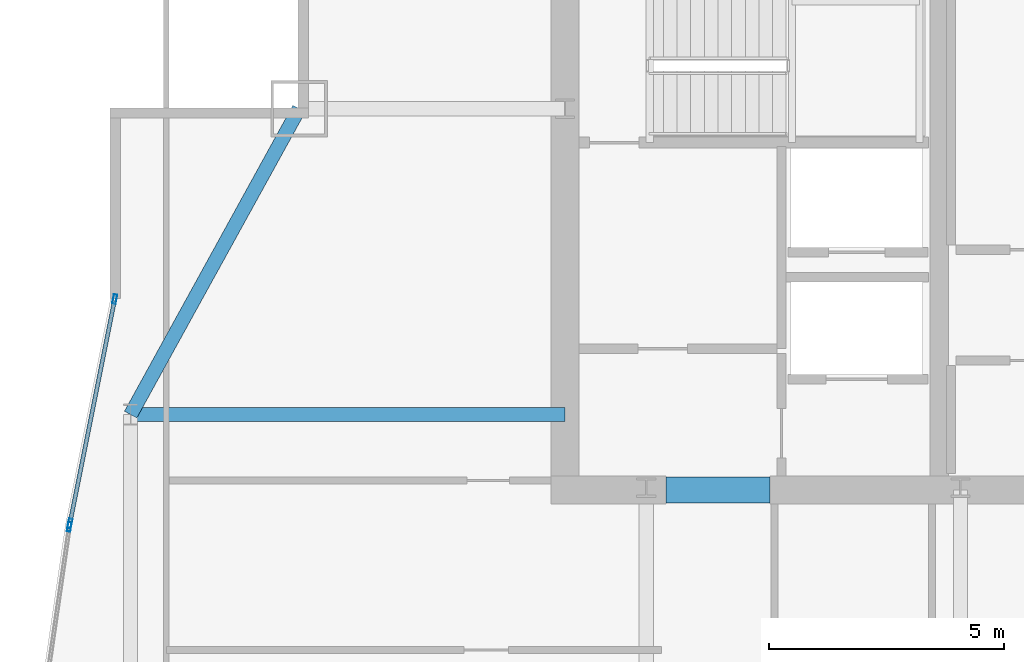
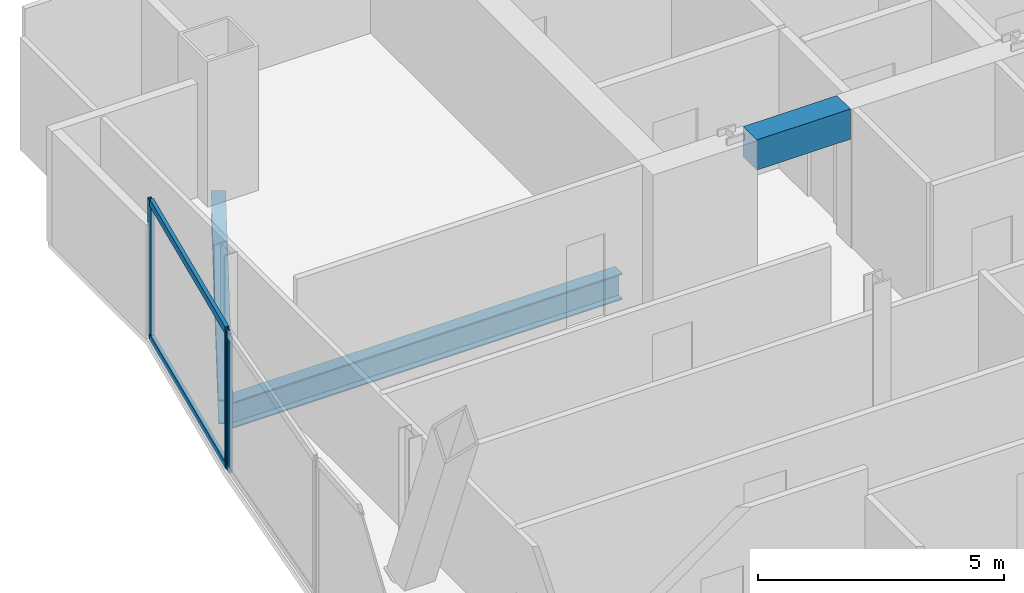
# One storey, part 22 of 32: 5 members, 3 beams, 2 elements without a shape of their own.
"""IFC4 building model written with IfcOpenShell, lengths in metres."""

from ifc_helpers import new_model, si_unit, direction, frame, origin, origin_2d, place, context, subcontext, project, spatial, rectangle, hollow_rectangle, i_section, extrude, material, material_profile, profile_set, type_object, element, aggregate, save


model = new_model("IFC4")

# Units and contexts
model_context = context("Model", 3, precision=1e-05, world=origin(), true_north=direction((0.0, 1.0)))
body_context = subcontext(model_context, "Body", "Model", "MODEL_VIEW")
ifc_project = project(units=[si_unit("LENGTHUNIT", "METRE"), si_unit("AREAUNIT", "SQUARE_METRE"), si_unit("VOLUMEUNIT", "CUBIC_METRE"), si_unit("PLANEANGLEUNIT", "RADIAN"), si_unit("MASSUNIT", "GRAM", prefix="KILO")], contexts=[model_context])

# Site, building, storey
site_placement = place(None, origin())
site = spatial("IfcSite", under=ifc_project, at=site_placement, CompositionType="ELEMENT")
building_placement = place(site_placement, origin())
building = spatial("IfcBuilding", under=site, at=building_placement, Name="Khoronbel Lancet Exchange", CompositionType="ELEMENT")
storey_placement = place(building_placement, frame((0.0, 0.0, 221.0)))
storey = spatial("IfcBuildingStorey", under=building, at=storey_placement, Name="L56", CompositionType="ELEMENT", Elevation=221.0)

# Beams
ifc_material_1 = material(Name="Steel S355", Category="steel")
ifc_material_profile_1 = material_profile(ifc_material_1, i_section(OverallWidth=0.300048828125, OverallDepth=0.64990234375, WebThickness=0.01611328125, FlangeThickness=0.031005859375, at=origin_2d()), Name="HEB 650")
ifc_profile_set_1 = profile_set([ifc_material_profile_1], Name="Steel S355")
beam_type_1 = type_object("IfcBeamType", Name="BM-BG4", PredefinedType="BEAM", material=ifc_profile_set_1)
beam_1_placement = place(storey_placement, frame((7.27001953125, 43.199951171875, -0.485107421875), z_axis=(1.0, 0.0, 0.0), x_axis=(0.0, 1.0, 0.0)))
element("IfcBeam", 1, at=beam_1_placement, inside=storey, type_object=beam_type_1, Name="Level L56 west lens tie girder LG3W", PredefinedType="BEAM", context=body_context, shape_type="SweptSolid", body=[
    extrude(i_section(OverallWidth=0.300048828125, OverallDepth=0.64990234375, WebThickness=0.01611328125, FlangeThickness=0.031005859375, at=origin_2d()), origin(), (0.0, 0.0, 1.0), 9.22998046875),
])
ifc_material_2 = material(Name="Concrete C60/75", Category="concrete")
ifc_material_profile_2 = material_profile(ifc_material_2, rectangle(XDim=0.550048828125, YDim=0.75, at=origin_2d()), Name="RC 550x750")
ifc_profile_set_2 = profile_set([ifc_material_profile_2], Name="Concrete C60/75")
beam_type_2 = type_object("IfcBeamType", Name="BM-BL2", PredefinedType="LINTEL", material=ifc_profile_set_2)
beam_2_placement = place(storey_placement, frame((18.64990234375, 41.60009765625, 3.06494140625), z_axis=(1.0, 0.0, 0.0), x_axis=(0.0, 1.0, 0.0)))
element("IfcBeam", 2, at=beam_2_placement, inside=storey, type_object=beam_type_2, Name="Level L56 rear core coupling lintel L1", PredefinedType="LINTEL", context=body_context, shape_type="SweptSolid", body=[
    extrude(rectangle(XDim=0.550048828125, YDim=0.75, at=origin_2d()), origin(), (0.0, 0.0, 1.0), 2.2001953125),
])
ifc_material_profile_3 = material_profile(ifc_material_1, i_section(OverallWidth=0.300048828125, OverallDepth=0.60009765625, WebThickness=0.015380859375, FlangeThickness=0.030029296875, at=origin_2d()), Name="HEB 600")
ifc_profile_set_3 = profile_set([ifc_material_profile_3], Name="Steel S355")
beam_type_3 = type_object("IfcBeamType", Name="BM-BSP2", PredefinedType="SPANDREL", material=ifc_profile_set_3)
beam_3_placement = place(storey_placement, frame((10.85009765625, 49.699951171875, -0.4599609375), z_axis=(-0.482444051088, -0.875926787791, 0.0), x_axis=(0.875926787791, -0.482444051088, 0.0)))
element("IfcBeam", 3, at=beam_3_placement, inside=storey, type_object=beam_type_3, Name="Level L56 perimeter spandrel beam SP16", PredefinedType="SPANDREL", context=body_context, shape_type="SweptSolid", body=[
    extrude(i_section(OverallWidth=0.300048828125, OverallDepth=0.60009765625, WebThickness=0.015380859375, FlangeThickness=0.030029296875, at=origin_2d()), origin(), (0.0, 0.0, 1.0), 7.420654296875),
])

# Curtain wall, member
ifc_material_3 = material(Name="Low-E Solar Control Insulating Glass", Category="glass")
curtain_wall_type = type_object("IfcCurtainWallType", Name="CW-4", PredefinedType="NOTDEFINED", material=ifc_material_3)
curtain_wall_1_placement = place(storey_placement, origin())
curtain_wall_1 = element("IfcCurtainWall", 4, at=curtain_wall_1_placement, inside=storey, type_object=curtain_wall_type, Name="Unitised curtain wall CW-L56-E08", PredefinedType="NOTDEFINED")
ifc_material_4 = material(Name="Bronze-Anodised Aluminium 6063-T6", Category="aluminium")
ifc_material_profile_4 = material_profile(ifc_material_4, hollow_rectangle(XDim=0.074951171875, YDim=0.199951171875, WallThickness=0.0048828125, at=origin_2d()), Name="ALU MULLION 75x200")
ifc_profile_set_4 = profile_set([ifc_material_profile_4], Name="Bronze-Anodised Aluminium 6063-T6")
member_type_1 = type_object("IfcMemberType", Name="MEM-CWM2", PredefinedType="MULLION", material=ifc_profile_set_4)
member_1_placement = place(storey_placement, frame((5.968017578125, 40.814208984375, 0.0), z_axis=(0.0, 0.0, 1.0), x_axis=(-0.989484260483, 0.144640583019, 0.0)))
member_1 = element("IfcMember", 5, at=member_1_placement, type_object=member_type_1, Name="CW4 mullion 2", PredefinedType="MULLION", context=body_context, shape_type="SweptSolid", body=[
    extrude(hollow_rectangle(XDim=0.074951171875, YDim=0.199951171875, WallThickness=0.0048828125, at=origin_2d()), origin(), (0.0, 0.0, 1.0), 3.43994140625),
])
aggregate(curtain_wall_1, [member_1])

# Curtain wall, members
curtain_wall_2_placement = place(storey_placement, origin())
curtain_wall_2 = element("IfcCurtainWall", 6, at=curtain_wall_2_placement, inside=storey, type_object=curtain_wall_type, Name="Unitised curtain wall CW-L56-E09", PredefinedType="NOTDEFINED")
member_2_placement = place(storey_placement, frame((5.98095703125, 40.88818359375, 0.0), z_axis=(0.0, 0.0, 1.0), x_axis=(-0.980636746666, 0.19583557156, 0.0)))
member_2 = element("IfcMember", 7, at=member_2_placement, type_object=member_type_1, Name="CW4 mullion 1", PredefinedType="MULLION", context=body_context, shape_type="SweptSolid", body=[
    extrude(hollow_rectangle(XDim=0.074951171875, YDim=0.199951171875, WallThickness=0.0048828125, at=origin_2d()), origin(), (0.0, 0.0, 1.0), 3.43994140625),
])
member_3_placement = place(storey_placement, frame((6.9326171875, 45.654296875, 0.0), z_axis=(0.0, 0.0, 1.0), x_axis=(-0.980636746666, 0.19583557156, 0.0)))
member_3 = element("IfcMember", 8, at=member_3_placement, type_object=member_type_1, Name="CW4 mullion 2", PredefinedType="MULLION", context=body_context, shape_type="SweptSolid", body=[
    extrude(hollow_rectangle(XDim=0.074951171875, YDim=0.199951171875, WallThickness=0.0048828125, at=origin_2d()), origin(), (0.0, 0.0, 1.0), 3.43994140625),
])
ifc_material_profile_5 = material_profile(ifc_material_4, hollow_rectangle(XDim=0.0849609375, YDim=0.179931640625, WallThickness=0.0048828125, at=origin_2d()), Name="ALU TRANSOM 85x180")
ifc_profile_set_5 = profile_set([ifc_material_profile_5], Name="Bronze-Anodised Aluminium 6063-T6")
member_type_2 = type_object("IfcMemberType", Name="MEM-CWT1", PredefinedType="USERDEFINED", material=ifc_profile_set_5)
member_4_placement = place(storey_placement, frame((5.98828125, 40.925048828125, 0.04248046875), z_axis=(0.195821769611, 0.980639502848, 0.0), x_axis=(-0.980639502848, 0.195821769611, 0.0)))
member_4 = element("IfcMember", 9, at=member_4_placement, type_object=member_type_2, Name="CW4 transom 1.1", ObjectType="TRANSOM", PredefinedType="USERDEFINED", context=body_context, shape_type="SweptSolid", body=[
    extrude(hollow_rectangle(XDim=0.0849609375, YDim=0.179931640625, WallThickness=0.0048828125, at=origin_2d()), origin(), (0.0, 0.0, 1.0), 4.784912109375),
])
member_5_placement = place(storey_placement, frame((5.98828125, 40.925048828125, 3.3974609375), z_axis=(0.195821769611, 0.980639502848, 0.0), x_axis=(-0.980639502848, 0.195821769611, 0.0)))
member_5 = element("IfcMember", 10, at=member_5_placement, type_object=member_type_2, Name="CW4 transom 1.2", ObjectType="TRANSOM", PredefinedType="USERDEFINED", context=body_context, shape_type="SweptSolid", body=[
    extrude(hollow_rectangle(XDim=0.0849609375, YDim=0.179931640625, WallThickness=0.0048828125, at=origin_2d()), origin(), (0.0, 0.0, 1.0), 4.784912109375),
])
aggregate(curtain_wall_2, [member_2, member_3, member_4, member_5])

save(model, "model.ifc")
